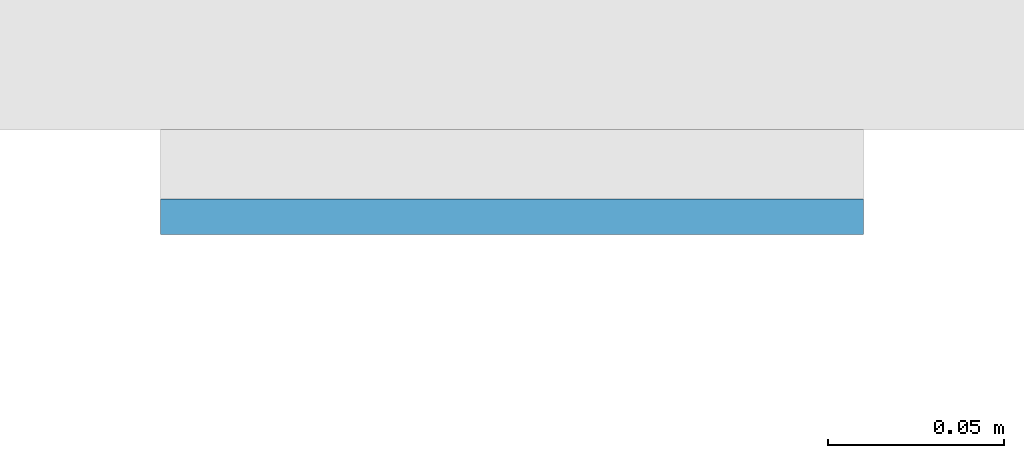
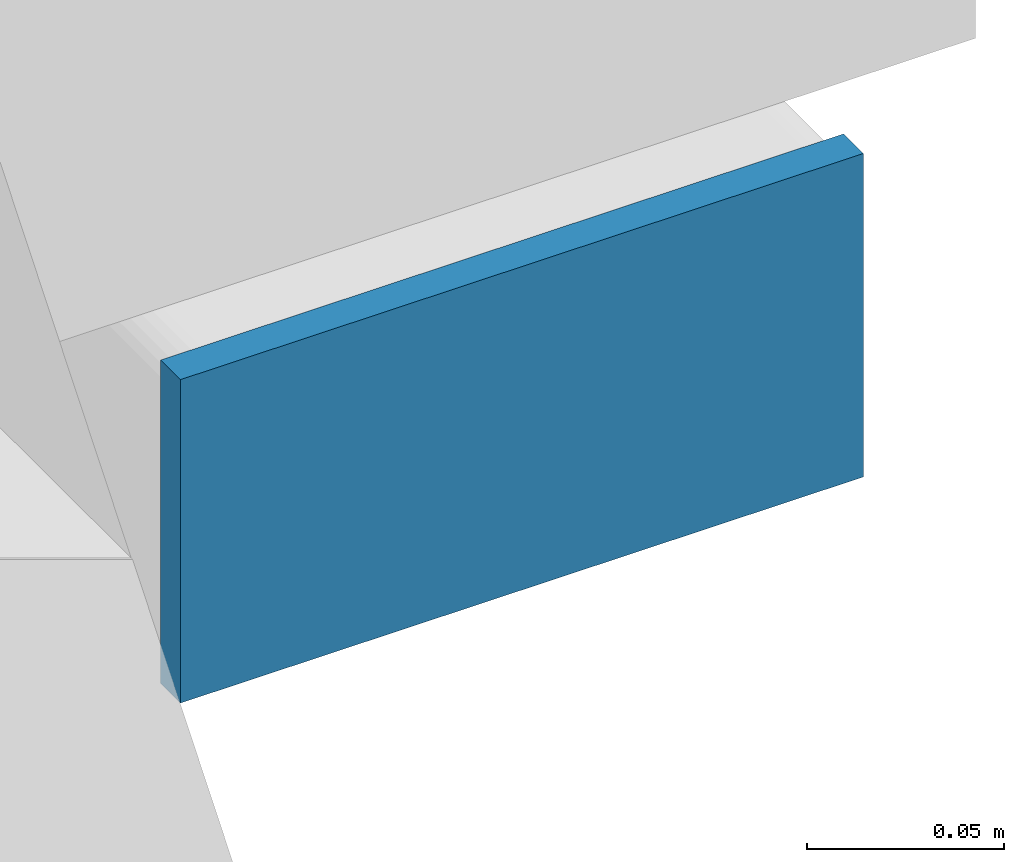
# One storey, part 10 of 20: 1 plate.
"""IFC4 building model written with IfcOpenShell, lengths in metres."""

from ifc_helpers import new_model, si_unit, direction, frame, origin, origin_2d, place, context, subcontext, project, spatial, rectangle, extrude, material, layer, layer_set, type_object, element, save


model = new_model("IFC4")

# Units and contexts
model_context = context("Model", 3, precision=1e-05, world=origin(), true_north=direction((0.0, 1.0)))
body_context = subcontext(model_context, "Body", "Model", "MODEL_VIEW")
ifc_project = project(units=[si_unit("LENGTHUNIT", "METRE"), si_unit("AREAUNIT", "SQUARE_METRE"), si_unit("VOLUMEUNIT", "CUBIC_METRE"), si_unit("PLANEANGLEUNIT", "RADIAN"), si_unit("MASSUNIT", "GRAM", prefix="KILO")], contexts=[model_context])

# Site, building, storey
site_placement = place(None, origin())
site = spatial("IfcSite", under=ifc_project, at=site_placement, CompositionType="ELEMENT")
building_placement = place(site_placement, origin())
building = spatial("IfcBuilding", under=site, at=building_placement, Name="Cleftline Residences", CompositionType="ELEMENT")
storey_placement = place(building_placement, frame((0.0, 0.0, 80.0)))
storey = spatial("IfcBuildingStorey", under=building, at=storey_placement, Name="L20", CompositionType="ELEMENT", Elevation=80.0)

# Plate
ifc_material = material(Name="Steel S355, hot-dip galvanised", Category="steel")
ifc_layer = layer(ifc_material, 0.010009765625)
ifc_layer_set = layer_set([ifc_layer], Name="BAGUETTE CARRIER END PLATE 200X100X10")
plate_type = type_object("IfcPlateType", Name="BAGUETTE CARRIER END PLATE 200X100X10", PredefinedType="USERDEFINED", material=ifc_layer_set)
plate_placement = place(storey_placement, frame((66.85009765625, 3.695068359375, -0.10009765625), z_axis=(0.0, 0.0, 1.0), x_axis=(1.0, 0.0, 0.0)))
element("IfcPlate", 1, at=plate_placement, inside=storey, type_object=plate_type, Name="Baguette carrier end plate", ObjectType="BAGUETTE CARRIER END PLATE", PredefinedType="USERDEFINED", context=body_context, shape_type="SweptSolid", body=[
    extrude(rectangle(XDim=0.199951171875, YDim=0.010009765625, at=origin_2d()), origin(), (0.0, 0.0, 1.0), 0.10009765625),
])

save(model, "model.ifc")
